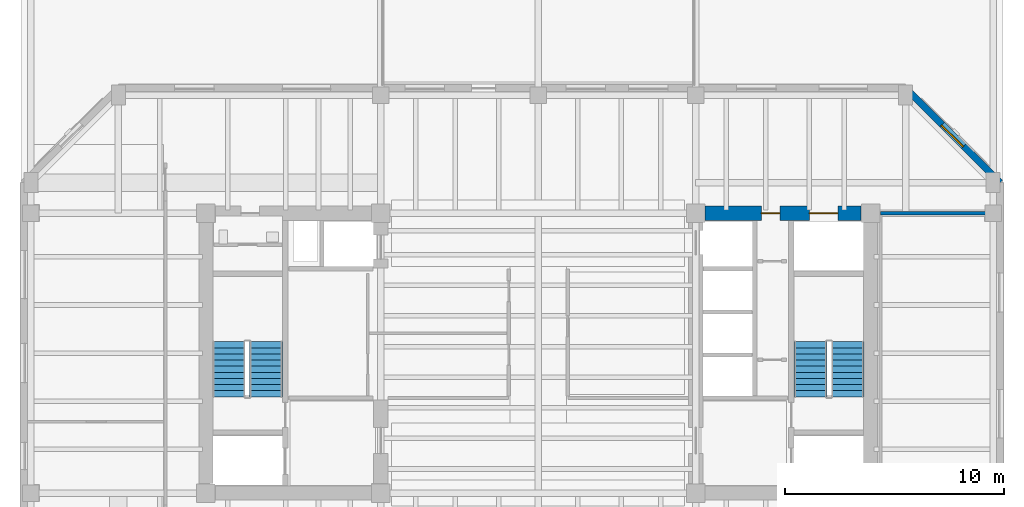
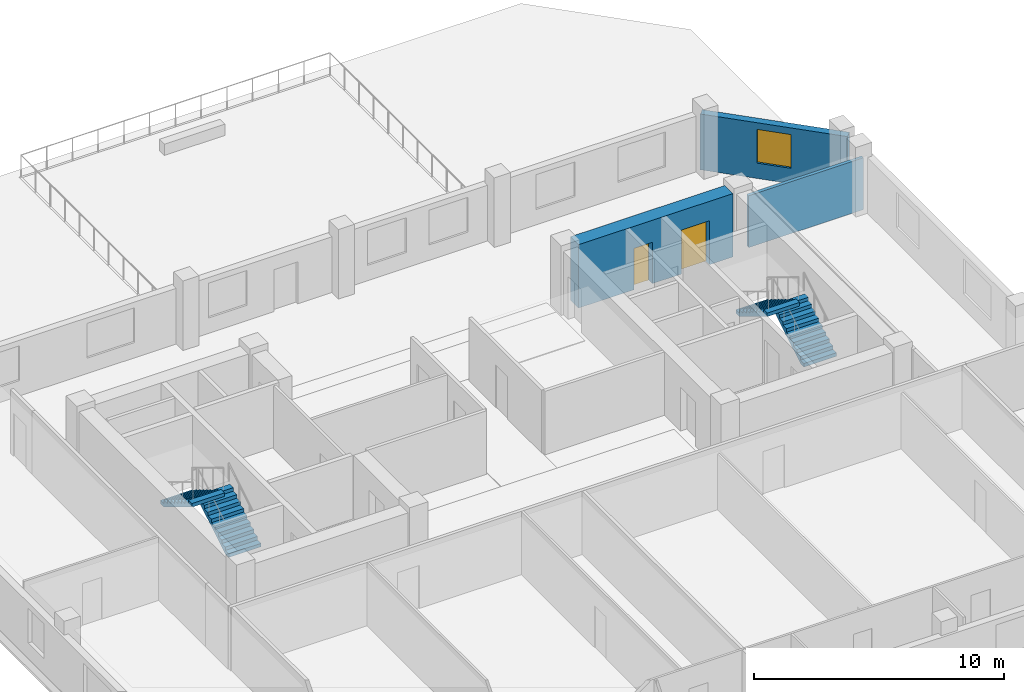
# One storey, part 6 of 11: 4 stair flights, 3 walls, 2 doors, 1 window, 3 openings, 2 elements without a shape of their own.
"""IFC4 building model written with IfcOpenShell, lengths in metres."""

from ifc_helpers import new_model, si_unit, direction, frame, frame_2d, origin, place, context, subcontext, project, spatial, polyline, rectangle, outline, extrude, material, layer, layer_set, type_object, element, fill, aggregate, save


model = new_model("IFC4")

# Units and contexts
model_context = context("Model", 3, precision=1e-05, world=origin(), true_north=direction((0.0, 1.0)))
body_context = subcontext(model_context, "Body", "Model", "MODEL_VIEW")
ifc_project = project(units=[si_unit("LENGTHUNIT", "METRE"), si_unit("AREAUNIT", "SQUARE_METRE"), si_unit("VOLUMEUNIT", "CUBIC_METRE"), si_unit("PLANEANGLEUNIT", "RADIAN"), si_unit("MASSUNIT", "GRAM", prefix="KILO")], contexts=[model_context])

# Site, building, storey
site_placement = place(None, origin())
site = spatial("IfcSite", under=ifc_project, at=site_placement, CompositionType="ELEMENT")
building_placement = place(site_placement, origin())
building = spatial("IfcBuilding", under=site, at=building_placement, Name="Kranthara Brick Stack", CompositionType="ELEMENT")
storey_placement = place(building_placement, frame((0.0, 0.0, 207.5)))
storey = spatial("IfcBuildingStorey", under=building, at=storey_placement, Name="L53", CompositionType="ELEMENT", Elevation=207.5)

# Wall, opening, window
ifc_material_1 = material(Name="Warm buff clay brick masonry M15", Category="masonry")
ifc_layer_1 = layer(ifc_material_1, 0.320068359375)
ifc_layer_set_1 = layer_set([ifc_layer_1], Name="Warm buff clay brick masonry M15")
wall_type_1 = type_object("IfcWallType", Name="WL-BRK-UPPR-320", PredefinedType="STANDARD", material=ifc_layer_set_1)
wall_1_placement = place(storey_placement, frame((44.800048828125, 39.320068359375, 0.0), z_axis=(0.0, 0.0, 1.0), x_axis=(0.707106781187, -0.707106781187, 0.0)))
wall_1 = element("IfcWall", 1, at=wall_1_placement, inside=storey, type_object=wall_type_1, Name="L53 Exterior Brick Facade Wall NE 1", PredefinedType="STANDARD", context=body_context, shape_type="SweptSolid", body=[
    extrude(rectangle(XDim=6.109619140625, YDim=0.320068359375, at=frame_2d((3.0546875, 0.0))), origin(), (0.0, 0.0, 1.0), 2.72509765625),
])
opening_1_placement = place(wall_1_placement, frame((2.35498046875, 0.0, 0.75)))
opening_1 = element("IfcOpeningElement", 2, at=opening_1_placement, cuts=wall_1, Name="Opening WN10", PredefinedType="OPENING", context=body_context, shape_type="SweptSolid", body=[
    extrude(rectangle(XDim=1.39990234375, YDim=1.64990234375, at=frame_2d((0.699951171875, 0.824951171875))), frame((0.0, 0.169921875, 0.0), z_axis=(0.0, -1.0, 0.0), x_axis=(1.0, 0.0, 0.0)), (0.0, 0.0, 1.0), 0.340087890625),
])
ifc_material_2 = material(Name="Double-glazed low-E solar control glass", Category="glass")
window_type = type_object("IfcWindowType", Name="WN-CHM-1400x1750", PartitioningType="SINGLE_PANEL", PredefinedType="WINDOW", material=ifc_material_2)
window_placement = place(opening_1_placement, origin())
window = element("IfcWindow", 3, at=window_placement, inside=storey, type_object=window_type, Name="L53 NE Chamfer Corner Window", OverallHeight=1.64990234375, OverallWidth=1.39990234375, PartitioningType="SINGLE_PANEL", PredefinedType="WINDOW", context=body_context, shape_type="SweptSolid", body=[
    extrude(rectangle(XDim=1.39990234375, YDim=1.64990234375, at=frame_2d((0.699951171875, 0.824951171875))), frame((0.0, -0.010009765625, 0.0), z_axis=(0.0, -1.0, 0.0), x_axis=(1.0, 0.0, 0.0)), (0.0, 0.0, 1.0), 0.06005859375),
])
fill(opening_1, window)

# Wall, openings, doors
ifc_material_3 = material(Name="Concrete C60/75", Category="concrete")
ifc_layer_2 = layer(ifc_material_3, 0.64990234375)
ifc_layer_set_2 = layer_set([ifc_layer_2], Name="Concrete C60/75")
wall_type_2 = type_object("IfcWallType", Name="WL-CORE-650", PredefinedType="SHEAR", material=ifc_layer_set_2)
wall_2_placement = place(storey_placement, frame((35.6298828125, 33.60009765625, 0.0), z_axis=(0.0, 0.0, 1.0), x_axis=(1.0, 0.0, 0.0)))
wall_2 = element("IfcWall", 4, at=wall_2_placement, inside=storey, type_object=wall_type_2, Name="L53 East Core Shear Wall North", PredefinedType="SHEAR", context=body_context, shape_type="SweptSolid", body=[
    extrude(rectangle(XDim=7.14013671875, YDim=0.64990234375, at=frame_2d((3.570068359375, 0.0))), origin(), (0.0, 0.0, 1.0), 3.10009765625),
])
opening_2_placement = place(wall_2_placement, frame((4.77001953125, 0.0, 0.0)))
opening_2 = element("IfcOpeningElement", 5, at=opening_2_placement, cuts=wall_2, Name="Opening LD03", PredefinedType="OPENING", context=body_context, shape_type="SweptSolid", body=[
    extrude(rectangle(XDim=1.300048828125, YDim=2.14990234375, at=frame_2d((0.64990234375, 1.074951171875))), frame((0.0, 0.3349609375, 0.0), z_axis=(0.0, -1.0, 0.0), x_axis=(1.0, 0.0, 0.0)), (0.0, 0.0, 1.0), 0.669921875),
])
opening_3_placement = place(wall_2_placement, frame((2.570068359375, 0.0, 0.0)))
opening_3 = element("IfcOpeningElement", 6, at=opening_3_placement, cuts=wall_2, Name="Opening D10", PredefinedType="OPENING", context=body_context, shape_type="SweptSolid", body=[
    extrude(rectangle(XDim=0.85009765625, YDim=2.02001953125, at=frame_2d((0.425048828125, 1.010009765625))), frame((0.0, 0.3349609375, 0.0), z_axis=(0.0, -1.0, 0.0), x_axis=(1.0, 0.0, 0.0)), (0.0, 0.0, 1.0), 0.669921875),
])
ifc_material_4 = material(Name="Stainless steel sliding landing door", Category="steel")
door_type_1 = type_object("IfcDoorType", Name="DR-LD-SV1300", OperationType="DOUBLE_DOOR_SLIDING", PredefinedType="DOOR", material=ifc_material_4)
door_1_placement = place(opening_2_placement, origin())
door_1 = element("IfcDoor", 7, at=door_1_placement, inside=storey, type_object=door_type_1, Name="L53 Stretcher Service Lift SV-01 Landing Door", OperationType="DOUBLE_DOOR_SLIDING", OverallHeight=2.14990234375, OverallWidth=1.300048828125, PredefinedType="DOOR", context=body_context, shape_type="SweptSolid", body=[
    extrude(rectangle(XDim=1.300048828125, YDim=2.14990234375, at=frame_2d((0.64990234375, 1.074951171875))), frame((0.0, 0.02490234375, 0.0), z_axis=(0.0, -1.0, 0.0), x_axis=(1.0, 0.0, 0.0)), (0.0, 0.0, 1.0), 0.050048828125),
])
fill(opening_2, door_1)
ifc_material_5 = material(Name="Solid-core hardwood timber leaf in steel frame", Category="steel")
door_type_2 = type_object("IfcDoorType", Name="DR-RSR-850", OperationType="NOTDEFINED", PredefinedType="DOOR", material=ifc_material_5)
door_2_placement = place(opening_3_placement, origin())
door_2 = element("IfcDoor", 8, at=door_2_placement, inside=storey, type_object=door_type_2, Name="L53 East Core Service Room Door", OperationType="SINGLE_SWING_LEFT", OverallHeight=2.02001953125, OverallWidth=0.85009765625, PredefinedType="DOOR", context=body_context, shape_type="SweptSolid", body=[
    extrude(rectangle(XDim=0.85009765625, YDim=2.02001953125, at=frame_2d((0.425048828125, 1.010009765625))), frame((0.0, 0.02490234375, 0.0), z_axis=(0.0, -1.0, 0.0), x_axis=(1.0, 0.0, 0.0)), (0.0, 0.0, 1.0), 0.050048828125),
])
fill(opening_3, door_2)

# Wall
ifc_material_6 = material(Name="Fire-rated gypsum board partition", Category="other")
ifc_layer_3 = layer(ifc_material_6, 0.14990234375)
ifc_layer_set_3 = layer_set([ifc_layer_3], Name="Fire-rated gypsum board partition")
wall_type_3 = type_object("IfcWallType", Name="WL-PART-150", PredefinedType="PARTITIONING", material=ifc_layer_set_3)
wall_3_placement = place(storey_placement, frame((43.64990234375, 33.60009765625, 0.0), z_axis=(0.0, 0.0, 1.0), x_axis=(1.0, 0.0, 0.0)))
element("IfcWall", 9, at=wall_3_placement, inside=storey, type_object=wall_type_3, Name="L53 Interior Partition 036", PredefinedType="PARTITIONING", context=body_context, shape_type="SweptSolid", body=[
    extrude(rectangle(XDim=5.30517578125, YDim=0.14990234375, at=frame_2d((2.652587890625, 0.0))), origin(), (0.0, 0.0, 1.0), 2.534912109375),
])

# Stair, stair flights
ifc_material_7 = material(Name="Concrete C45/55", Category="concrete")
stair_type = type_object("IfcStairType", Name="ST-CORE-20R", PredefinedType="HALF_TURN_STAIR", material=ifc_material_7)
stair_1_placement = place(storey_placement, origin())
stair_1 = element("IfcStair", 10, at=stair_1_placement, inside=storey, type_object=stair_type, Name="L53 West Core Protected Exit Stair ST01", PredefinedType="HALF_TURN_STAIR")
ifc_material_8 = material(Name="Concrete C45/55", Category="concrete")
stair_flight_type = type_object("IfcStairFlightType", Name="SFL-RC-20R", PredefinedType="STRAIGHT", material=ifc_material_8)
stair_flight_1_placement = place(storey_placement, frame((15.550048828125, 25.199951171875, 0.0), z_axis=(0.0, 0.0, 1.0), x_axis=(0.0, 1.0, 0.0)))
stair_flight_1 = element("IfcStairFlight", 11, at=stair_flight_1_placement, type_object=stair_flight_type, Name="ST01 flight 1", NumberOfRisers=10, NumberOfTreads=9, PredefinedType="STRAIGHT", RiserHeight=0.17, TreadLength=0.28, context=body_context, shape_type="SweptSolid", body=[
    extrude(outline(polyline([(0.0, 0.0), (0.0, 0.169921875), (0.280029296875, 0.169921875), (0.280029296875, 0.340087890625), (0.56005859375, 0.340087890625), (0.56005859375, 0.510009765625), (0.840087890625, 0.510009765625), (0.840087890625, 0.679931640625), (1.1201171875, 0.679931640625), (1.1201171875, 0.85009765625), (1.39990234375, 0.85009765625), (1.39990234375, 1.02001953125), (1.679931640625, 1.02001953125), (1.679931640625, 1.18994140625), (1.9599609375, 1.18994140625), (1.9599609375, 1.360107421875), (2.239990234375, 1.360107421875), (2.239990234375, 1.530029296875), (2.52001953125, 1.530029296875), (2.52001953125, 1.699951171875), (2.52001953125, 1.354736328125), (0.288818359375, 0.0), (0.0, 0.0)])), frame((0.0, 0.75, 0.0), z_axis=(0.0, -1.0, 0.0), x_axis=(1.0, 0.0, 0.0)), (0.0, 0.0, 1.0), 1.5),
])
stair_flight_2_placement = place(storey_placement, frame((13.85009765625, 27.719970703125, 1.699951171875), z_axis=(0.0, 0.0, 1.0), x_axis=(0.0, -1.0, 0.0)))
stair_flight_2 = element("IfcStairFlight", 12, at=stair_flight_2_placement, type_object=stair_flight_type, Name="ST01 flight 2", NumberOfRisers=10, NumberOfTreads=9, PredefinedType="STRAIGHT", RiserHeight=0.17, TreadLength=0.28, context=body_context, shape_type="SweptSolid", body=[
    extrude(outline(polyline([(0.0, 0.0), (0.0, 0.169921875), (0.280029296875, 0.169921875), (0.280029296875, 0.340087890625), (0.56005859375, 0.340087890625), (0.56005859375, 0.510009765625), (0.840087890625, 0.510009765625), (0.840087890625, 0.679931640625), (1.1201171875, 0.679931640625), (1.1201171875, 0.85009765625), (1.39990234375, 0.85009765625), (1.39990234375, 1.02001953125), (1.679931640625, 1.02001953125), (1.679931640625, 1.18994140625), (1.9599609375, 1.18994140625), (1.9599609375, 1.360107421875), (2.239990234375, 1.360107421875), (2.239990234375, 1.530029296875), (2.52001953125, 1.530029296875), (2.52001953125, 1.699951171875), (2.52001953125, 1.354736328125), (0.288818359375, 0.0), (0.0, 0.0)])), frame((0.0, 0.75, 0.0), z_axis=(0.0, -1.0, 0.0), x_axis=(1.0, 0.0, 0.0)), (0.0, 0.0, 1.0), 1.5),
])
aggregate(stair_1, [stair_flight_1, stair_flight_2])

stair_2_placement = place(storey_placement, origin())
stair_2 = element("IfcStair", 13, at=stair_2_placement, inside=storey, type_object=stair_type, Name="L53 East Core Protected Exit Stair ST02", PredefinedType="HALF_TURN_STAIR")
stair_flight_3_placement = place(storey_placement, frame((42.14990234375, 25.199951171875, 0.0), z_axis=(0.0, 0.0, 1.0), x_axis=(0.0, 1.0, 0.0)))
stair_flight_3 = element("IfcStairFlight", 14, at=stair_flight_3_placement, type_object=stair_flight_type, Name="ST02 flight 1", NumberOfRisers=10, NumberOfTreads=9, PredefinedType="STRAIGHT", RiserHeight=0.17, TreadLength=0.28, context=body_context, shape_type="SweptSolid", body=[
    extrude(outline(polyline([(0.0, 0.0), (0.0, 0.169921875), (0.280029296875, 0.169921875), (0.280029296875, 0.340087890625), (0.56005859375, 0.340087890625), (0.56005859375, 0.510009765625), (0.840087890625, 0.510009765625), (0.840087890625, 0.679931640625), (1.1201171875, 0.679931640625), (1.1201171875, 0.85009765625), (1.39990234375, 0.85009765625), (1.39990234375, 1.02001953125), (1.679931640625, 1.02001953125), (1.679931640625, 1.18994140625), (1.9599609375, 1.18994140625), (1.9599609375, 1.360107421875), (2.239990234375, 1.360107421875), (2.239990234375, 1.530029296875), (2.52001953125, 1.530029296875), (2.52001953125, 1.699951171875), (2.52001953125, 1.354736328125), (0.288818359375, 0.0), (0.0, 0.0)])), frame((0.0, 0.75, 0.0), z_axis=(0.0, -1.0, 0.0), x_axis=(1.0, 0.0, 0.0)), (0.0, 0.0, 1.0), 1.5),
])
stair_flight_4_placement = place(storey_placement, frame((40.449951171875, 27.719970703125, 1.699951171875), z_axis=(0.0, 0.0, 1.0), x_axis=(0.0, -1.0, 0.0)))
stair_flight_4 = element("IfcStairFlight", 15, at=stair_flight_4_placement, type_object=stair_flight_type, Name="ST02 flight 2", NumberOfRisers=10, NumberOfTreads=9, PredefinedType="STRAIGHT", RiserHeight=0.17, TreadLength=0.28, context=body_context, shape_type="SweptSolid", body=[
    extrude(outline(polyline([(0.0, 0.0), (0.0, 0.169921875), (0.280029296875, 0.169921875), (0.280029296875, 0.340087890625), (0.56005859375, 0.340087890625), (0.56005859375, 0.510009765625), (0.840087890625, 0.510009765625), (0.840087890625, 0.679931640625), (1.1201171875, 0.679931640625), (1.1201171875, 0.85009765625), (1.39990234375, 0.85009765625), (1.39990234375, 1.02001953125), (1.679931640625, 1.02001953125), (1.679931640625, 1.18994140625), (1.9599609375, 1.18994140625), (1.9599609375, 1.360107421875), (2.239990234375, 1.360107421875), (2.239990234375, 1.530029296875), (2.52001953125, 1.530029296875), (2.52001953125, 1.699951171875), (2.52001953125, 1.354736328125), (0.288818359375, 0.0), (0.0, 0.0)])), frame((0.0, 0.75, 0.0), z_axis=(0.0, -1.0, 0.0), x_axis=(1.0, 0.0, 0.0)), (0.0, 0.0, 1.0), 1.5),
])
aggregate(stair_2, [stair_flight_3, stair_flight_4])

save(model, "model.ifc")
